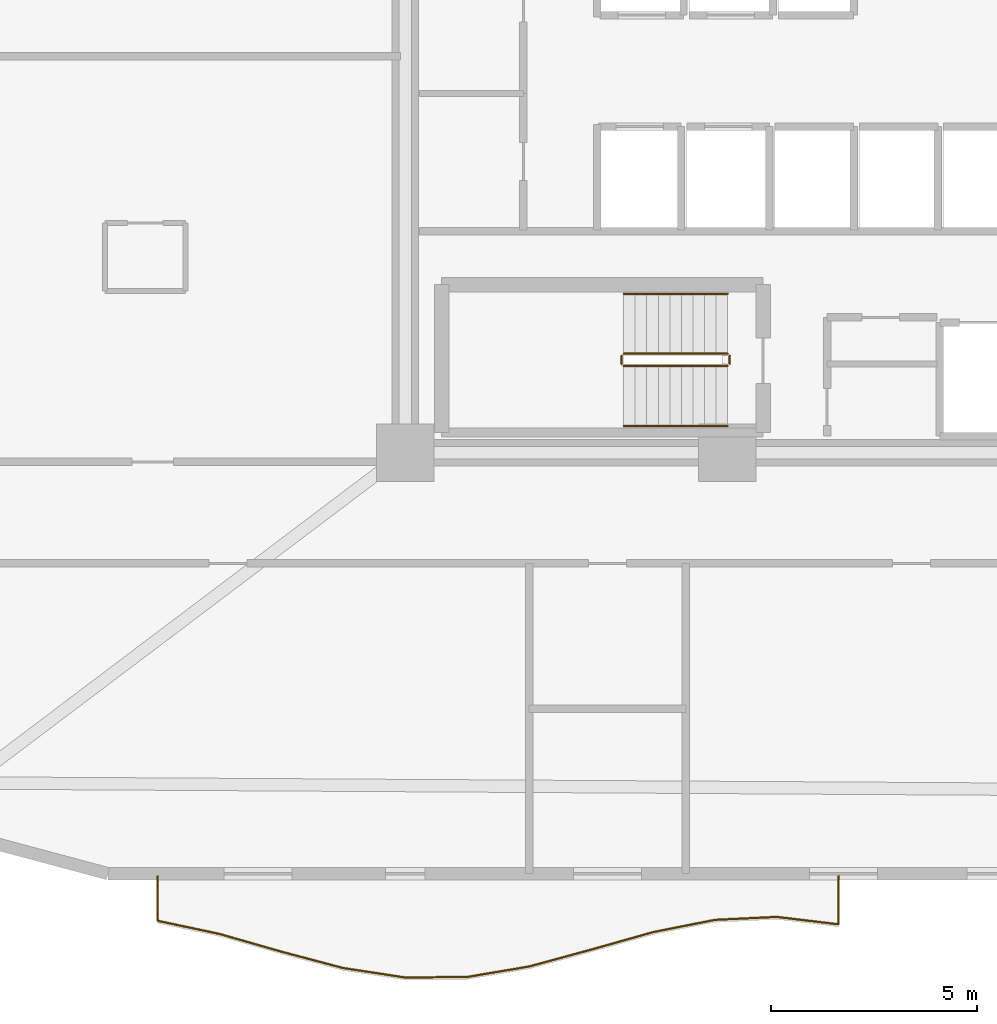
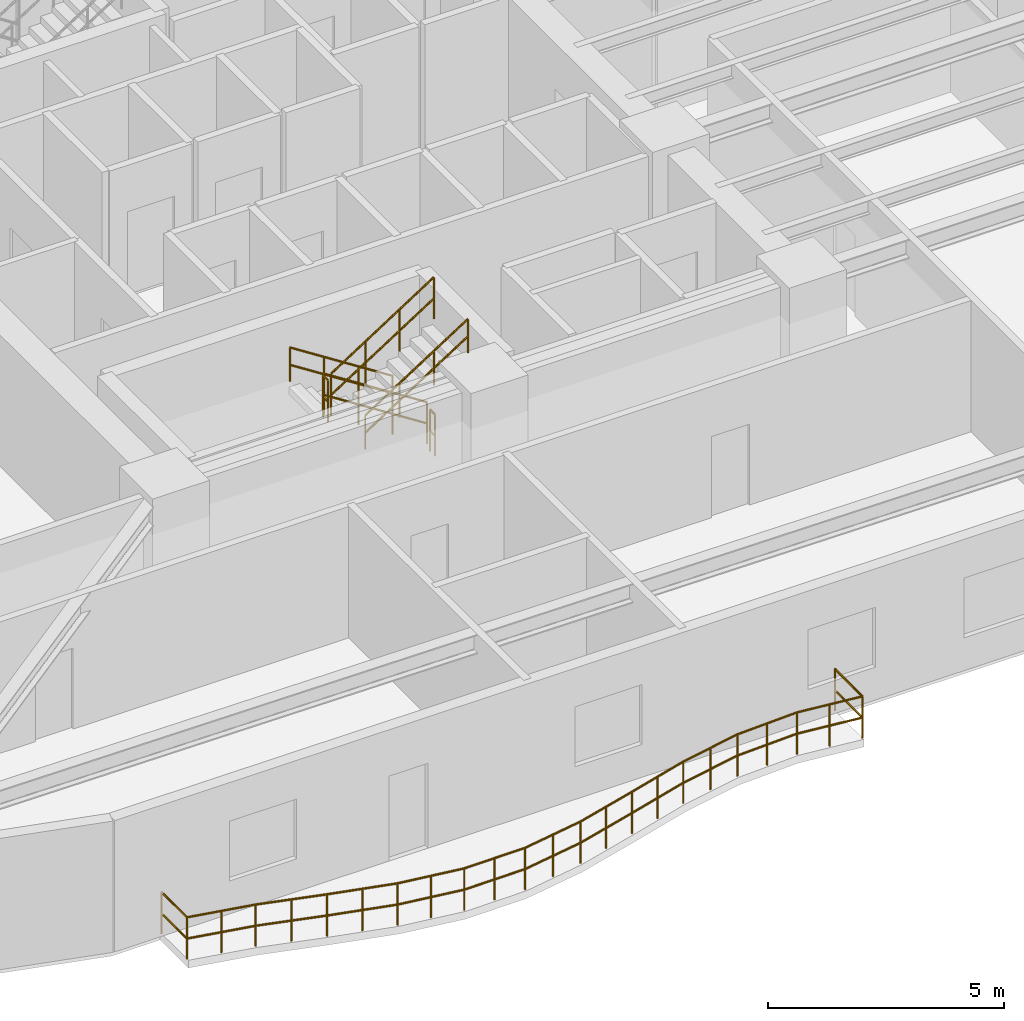
# One storey, part 12 of 14: 7 railings.
"""IFC4 building model written with IfcOpenShell, lengths in metres."""

from ifc_helpers import new_model, si_unit, direction, frame, origin, origin_2d, place, context, subcontext, project, spatial, circle, extrude, material, type_object, element, save


model = new_model("IFC4")

# Units and contexts
model_context = context("Model", 3, precision=1e-05, world=origin(), true_north=direction((0.0, 1.0)))
body_context = subcontext(model_context, "Body", "Model", "MODEL_VIEW")
ifc_project = project(units=[si_unit("LENGTHUNIT", "METRE"), si_unit("AREAUNIT", "SQUARE_METRE"), si_unit("VOLUMEUNIT", "CUBIC_METRE"), si_unit("PLANEANGLEUNIT", "RADIAN"), si_unit("MASSUNIT", "GRAM", prefix="KILO")], contexts=[model_context])

# Site, building, storey
site_placement = place(None, origin())
site = spatial("IfcSite", under=ifc_project, at=site_placement, CompositionType="ELEMENT")
building_placement = place(site_placement, origin())
building = spatial("IfcBuilding", under=site, at=building_placement, Name="An Khanh Terracotta Commons", CompositionType="ELEMENT")
storey_placement = place(building_placement, frame((0.0, 0.0, 115.10009765625)))
storey = spatial("IfcBuildingStorey", under=building, at=storey_placement, Name="L30", CompositionType="ELEMENT", Elevation=115.10009765625)

# Railings
ifc_material_1 = material(Name="Brushed Stainless Steel 316", Category="steel")
railing_type_1 = type_object("IfcRailingType", Name="RAIL-BALUSTRADE-1100", PredefinedType="BALUSTRADE", material=ifc_material_1)
railing_1_placement = place(storey_placement, frame((15.60009765625, 4.139892578125, 0.0)))
element("IfcRailing", 1, at=railing_1_placement, inside=storey, type_object=railing_type_1, Name="L30 S Wave Balcony Guard Balustrade", PredefinedType="BALUSTRADE", context=body_context, shape_type="SweptSolid", body=[
    extrude(circle(Radius=0.02392578125, at=origin_2d()), frame((0.0, 0.0, 1.076171875), z_axis=(0.0, -1.0, 0.0), x_axis=(1.0, 0.0, 0.0)), (0.0, 0.0, 1.0), 1.079833984375),
    extrude(circle(Radius=0.02392578125, at=origin_2d()), frame((0.0, 0.0, 0.52587890625), z_axis=(0.0, -1.0, 0.0), x_axis=(1.0, 0.0, 0.0)), (0.0, 0.0, 1.0), 1.079833984375),
    extrude(circle(Radius=0.02392578125, at=origin_2d()), frame((0.0, -1.079833984375, 1.076171875), z_axis=(0.978242938641, -0.207462654468, 0.0), x_axis=(0.207462654468, 0.978242938641, 0.0)), (0.0, 0.0, 1.0), 1.533447265625),
    extrude(circle(Radius=0.02392578125, at=origin_2d()), frame((0.0, -1.079833984375, 0.52587890625), z_axis=(0.978242938641, -0.207462654468, 0.0), x_axis=(0.207462654468, 0.978242938641, 0.0)), (0.0, 0.0, 1.0), 1.533447265625),
    extrude(circle(Radius=0.02392578125, at=origin_2d()), frame((1.5, -1.39794921875, 1.076171875), z_axis=(0.961293347262, -0.275526950607, 0.0), x_axis=(0.275526950607, 0.961293347262, 0.0)), (0.0, 0.0, 1.0), 1.560302734375),
    extrude(circle(Radius=0.02392578125, at=origin_2d()), frame((1.5, -1.39794921875, 0.52587890625), z_axis=(0.961293347262, -0.275526950607, 0.0), x_axis=(0.275526950607, 0.961293347262, 0.0)), (0.0, 0.0, 1.0), 1.560302734375),
    extrude(circle(Radius=0.02392578125, at=origin_2d()), frame((3.0, -1.827880859375, 1.076171875), z_axis=(0.966718963822, -0.255840663277, 0.0), x_axis=(0.255840663277, 0.966718963822, 0.0)), (0.0, 0.0, 1.0), 1.5517578125),
    extrude(circle(Radius=0.02392578125, at=origin_2d()), frame((3.0, -1.827880859375, 0.52587890625), z_axis=(0.966718963822, -0.255840663277, 0.0), x_axis=(0.255840663277, 0.966718963822, 0.0)), (0.0, 0.0, 1.0), 1.5517578125),
    extrude(circle(Radius=0.02392578125, at=origin_2d()), frame((4.5, -2.224853515625, 1.076171875), z_axis=(0.988545890906, -0.15092058035, 0.0), x_axis=(0.15092058035, 0.988545890906, 0.0)), (0.0, 0.0, 1.0), 1.517333984375),
    extrude(circle(Radius=0.02392578125, at=origin_2d()), frame((4.5, -2.224853515625, 0.52587890625), z_axis=(0.988545890906, -0.15092058035, 0.0), x_axis=(0.15092058035, 0.988545890906, 0.0)), (0.0, 0.0, 1.0), 1.517333984375),
    extrude(circle(Radius=0.02392578125, at=origin_2d()), frame((6.0, -2.453857421875, 1.076171875), z_axis=(0.999956968224, 0.009276944529, 0.0), x_axis=(-0.009276944529, 0.999956968224, 0.0)), (0.0, 0.0, 1.0), 1.5),
    extrude(circle(Radius=0.02392578125, at=origin_2d()), frame((6.0, -2.453857421875, 0.52587890625), z_axis=(0.999956968224, 0.009276944529, 0.0), x_axis=(-0.009276944529, 0.999956968224, 0.0)), (0.0, 0.0, 1.0), 1.5),
    extrude(circle(Radius=0.02392578125, at=origin_2d()), frame((7.5, -2.43994140625, 1.076171875), z_axis=(0.986079829755, 0.16627257546, 0.0), x_axis=(-0.16627257546, 0.986079829755, 0.0)), (0.0, 0.0, 1.0), 1.521240234375),
    extrude(circle(Radius=0.02392578125, at=origin_2d()), frame((7.5, -2.43994140625, 0.52587890625), z_axis=(0.986079829755, 0.16627257546, 0.0), x_axis=(-0.16627257546, 0.986079829755, 0.0)), (0.0, 0.0, 1.0), 1.521240234375),
    extrude(circle(Radius=0.02392578125, at=origin_2d()), frame((9.0, -2.18701171875, 1.076171875), z_axis=(0.964908643051, 0.262585815622, 0.0), x_axis=(-0.262585815622, 0.964908643051, 0.0)), (0.0, 0.0, 1.0), 1.554443359375),
    extrude(circle(Radius=0.02392578125, at=origin_2d()), frame((9.0, -2.18701171875, 0.52587890625), z_axis=(0.964908643051, 0.262585815622, 0.0), x_axis=(-0.262585815622, 0.964908643051, 0.0)), (0.0, 0.0, 1.0), 1.554443359375),
    extrude(circle(Radius=0.02392578125, at=origin_2d()), frame((10.5, -1.77880859375, 1.076171875), z_axis=(0.962323659406, 0.271906554806, 0.0), x_axis=(-0.271906554806, 0.962323659406, 0.0)), (0.0, 0.0, 1.0), 1.558837890625),
    extrude(circle(Radius=0.02392578125, at=origin_2d()), frame((10.5, -1.77880859375, 0.52587890625), z_axis=(0.962323659406, 0.271906554806, 0.0), x_axis=(-0.271906554806, 0.962323659406, 0.0)), (0.0, 0.0, 1.0), 1.558837890625),
    extrude(circle(Radius=0.02392578125, at=origin_2d()), frame((12.0, -1.35498046875, 1.076171875), z_axis=(0.980819402607, 0.194918699639, 0.0), x_axis=(-0.194918699639, 0.980819402607, 0.0)), (0.0, 0.0, 1.0), 1.529296875),
    extrude(circle(Radius=0.02392578125, at=origin_2d()), frame((12.0, -1.35498046875, 0.52587890625), z_axis=(0.980819402607, 0.194918699639, 0.0), x_axis=(-0.194918699639, 0.980819402607, 0.0)), (0.0, 0.0, 1.0), 1.529296875),
    extrude(circle(Radius=0.02392578125, at=origin_2d()), frame((13.5, -1.056884765625, 1.076171875), z_axis=(0.998880243389, 0.047310245903, 0.0), x_axis=(-0.047310245903, 0.998880243389, 0.0)), (0.0, 0.0, 1.0), 1.501708984375),
    extrude(circle(Radius=0.02392578125, at=origin_2d()), frame((13.5, -1.056884765625, 0.52587890625), z_axis=(0.998880243389, 0.047310245903, 0.0), x_axis=(-0.047310245903, 0.998880243389, 0.0)), (0.0, 0.0, 1.0), 1.501708984375),
    extrude(circle(Radius=0.02392578125, at=origin_2d()), frame((15.0, -0.98583984375, 1.076171875), z_axis=(0.99288219023, -0.11910061429, 0.0), x_axis=(0.11910061429, 0.99288219023, 0.0)), (0.0, 0.0, 1.0), 1.5107421875),
    extrude(circle(Radius=0.02392578125, at=origin_2d()), frame((15.0, -0.98583984375, 0.52587890625), z_axis=(0.99288219023, -0.11910061429, 0.0), x_axis=(0.11910061429, 0.99288219023, 0.0)), (0.0, 0.0, 1.0), 1.5107421875),
    extrude(circle(Radius=0.02392578125, at=origin_2d()), frame((16.5, -1.165771484375, 1.076171875), z_axis=(0.0, 1.0, 0.0), x_axis=(-1.0, 0.0, 0.0)), (0.0, 0.0, 1.0), 1.165771484375),
    extrude(circle(Radius=0.02392578125, at=origin_2d()), frame((16.5, -1.165771484375, 0.52587890625), z_axis=(0.0, 1.0, 0.0), x_axis=(-1.0, 0.0, 0.0)), (0.0, 0.0, 1.0), 1.165771484375),
    extrude(circle(Radius=0.02099609375, at=origin_2d()), origin(), (0.0, 0.0, 1.0), 1.052001953125),
    extrude(circle(Radius=0.02099609375, at=origin_2d()), frame((0.0, -1.079833984375, 0.0)), (0.0, 0.0, 1.0), 1.052001953125),
    extrude(circle(Radius=0.02099609375, at=origin_2d()), frame((0.75, -1.23876953125, 0.0)), (0.0, 0.0, 1.0), 1.052001953125),
    extrude(circle(Radius=0.02099609375, at=origin_2d()), frame((1.5, -1.39794921875, 0.0)), (0.0, 0.0, 1.0), 1.052001953125),
    extrude(circle(Radius=0.02099609375, at=origin_2d()), frame((2.25, -1.61279296875, 0.0)), (0.0, 0.0, 1.0), 1.052001953125),
    extrude(circle(Radius=0.02099609375, at=origin_2d()), frame((3.0, -1.827880859375, 0.0)), (0.0, 0.0, 1.0), 1.052001953125),
    extrude(circle(Radius=0.02099609375, at=origin_2d()), frame((3.75, -2.0263671875, 0.0)), (0.0, 0.0, 1.0), 1.052001953125),
    extrude(circle(Radius=0.02099609375, at=origin_2d()), frame((4.5, -2.224853515625, 0.0)), (0.0, 0.0, 1.0), 1.052001953125),
    extrude(circle(Radius=0.02099609375, at=origin_2d()), frame((5.25, -2.33935546875, 0.0)), (0.0, 0.0, 1.0), 1.052001953125),
    extrude(circle(Radius=0.02099609375, at=origin_2d()), frame((6.0, -2.453857421875, 0.0)), (0.0, 0.0, 1.0), 1.052001953125),
    extrude(circle(Radius=0.02099609375, at=origin_2d()), frame((6.75, -2.44677734375, 0.0)), (0.0, 0.0, 1.0), 1.052001953125),
    extrude(circle(Radius=0.02099609375, at=origin_2d()), frame((7.5, -2.43994140625, 0.0)), (0.0, 0.0, 1.0), 1.052001953125),
    extrude(circle(Radius=0.02099609375, at=origin_2d()), frame((8.25, -2.3134765625, 0.0)), (0.0, 0.0, 1.0), 1.052001953125),
    extrude(circle(Radius=0.02099609375, at=origin_2d()), frame((9.0, -2.18701171875, 0.0)), (0.0, 0.0, 1.0), 1.052001953125),
    extrude(circle(Radius=0.02099609375, at=origin_2d()), frame((9.75, -1.98291015625, 0.0)), (0.0, 0.0, 1.0), 1.052001953125),
    extrude(circle(Radius=0.02099609375, at=origin_2d()), frame((10.5, -1.77880859375, 0.0)), (0.0, 0.0, 1.0), 1.052001953125),
    extrude(circle(Radius=0.02099609375, at=origin_2d()), frame((11.25, -1.56689453125, 0.0)), (0.0, 0.0, 1.0), 1.052001953125),
    extrude(circle(Radius=0.02099609375, at=origin_2d()), frame((12.0, -1.35498046875, 0.0)), (0.0, 0.0, 1.0), 1.052001953125),
    extrude(circle(Radius=0.02099609375, at=origin_2d()), frame((12.75, -1.2060546875, 0.0)), (0.0, 0.0, 1.0), 1.052001953125),
    extrude(circle(Radius=0.02099609375, at=origin_2d()), frame((13.5, -1.056884765625, 0.0)), (0.0, 0.0, 1.0), 1.052001953125),
    extrude(circle(Radius=0.02099609375, at=origin_2d()), frame((14.25, -1.021484375, 0.0)), (0.0, 0.0, 1.0), 1.052001953125),
    extrude(circle(Radius=0.02099609375, at=origin_2d()), frame((15.0, -0.98583984375, 0.0)), (0.0, 0.0, 1.0), 1.052001953125),
    extrude(circle(Radius=0.02099609375, at=origin_2d()), frame((15.75, -1.07568359375, 0.0)), (0.0, 0.0, 1.0), 1.052001953125),
    extrude(circle(Radius=0.02099609375, at=origin_2d()), frame((16.5, -1.165771484375, 0.0)), (0.0, 0.0, 1.0), 1.052001953125),
    extrude(circle(Radius=0.02099609375, at=origin_2d()), frame((16.5, 0.0, 0.0)), (0.0, 0.0, 1.0), 1.052001953125),
])
railing_type_2 = type_object("IfcRailingType", Name="RAIL-HANDRAIL-900", PredefinedType="HANDRAIL", material=ifc_material_1)
railing_2_placement = place(storey_placement, frame((29.409912109375, 18.25, 0.179931640625)))
element("IfcRailing", 2, at=railing_2_placement, inside=storey, type_object=railing_type_2, Name="L30 ST-02 stair handrail 1", PredefinedType="HANDRAIL", context=body_context, shape_type="SweptSolid", body=[
    extrude(circle(Radius=0.02392578125, at=origin_2d()), frame((0.0, 0.0, 0.8759765625), z_axis=(-0.841199657755, 0.0, 0.540724639528), x_axis=(0.0, -1.0, 0.0)), (0.0, 0.0, 1.0), 2.995849609375),
    extrude(circle(Radius=0.02392578125, at=origin_2d()), frame((0.0, 0.0, 0.42578125), z_axis=(-0.841199657755, 0.0, 0.540724639528), x_axis=(0.0, -1.0, 0.0)), (0.0, 0.0, 1.0), 2.995849609375),
    extrude(circle(Radius=0.02099609375, at=origin_2d()), origin(), (0.0, 0.0, 1.0), 0.851806640625),
    extrude(circle(Radius=0.02099609375, at=origin_2d()), frame((-0.840087890625, 0.0, 0.5400390625)), (0.0, 0.0, 1.0), 0.851806640625),
    extrude(circle(Radius=0.02099609375, at=origin_2d()), frame((-1.679931640625, 0.0, 1.079833984375)), (0.0, 0.0, 1.0), 0.851806640625),
    extrude(circle(Radius=0.02099609375, at=origin_2d()), frame((-2.52001953125, 0.0, 1.619873046875)), (0.0, 0.0, 1.0), 0.851806640625),
])
railing_3_placement = place(storey_placement, frame((26.889892578125, 15.050048828125, 1.97998046875)))
element("IfcRailing", 3, at=railing_3_placement, inside=storey, type_object=railing_type_2, Name="L30 ST-02 stair handrail 2", PredefinedType="HANDRAIL", context=body_context, shape_type="SweptSolid", body=[
    extrude(circle(Radius=0.02392578125, at=origin_2d()), frame((0.0, 0.0, 0.8759765625), z_axis=(0.841199657755, 0.0, 0.540724639528), x_axis=(0.0, 1.0, 0.0)), (0.0, 0.0, 1.0), 2.995849609375),
    extrude(circle(Radius=0.02392578125, at=origin_2d()), frame((0.0, 0.0, 0.42578125), z_axis=(0.841199657755, 0.0, 0.540724639528), x_axis=(0.0, 1.0, 0.0)), (0.0, 0.0, 1.0), 2.995849609375),
    extrude(circle(Radius=0.02099609375, at=origin_2d()), origin(), (0.0, 0.0, 1.0), 0.851806640625),
    extrude(circle(Radius=0.02099609375, at=origin_2d()), frame((0.840087890625, 0.0, 0.5400390625)), (0.0, 0.0, 1.0), 0.851806640625),
    extrude(circle(Radius=0.02099609375, at=origin_2d()), frame((1.679931640625, 0.0, 1.079833984375)), (0.0, 0.0, 1.0), 0.851806640625),
    extrude(circle(Radius=0.02099609375, at=origin_2d()), frame((2.52001953125, 0.0, 1.619873046875)), (0.0, 0.0, 1.0), 0.851806640625),
])
ifc_material_2 = material(Name="Powder-Coated Steel S355J2", Category="steel")
railing_type_3 = type_object("IfcRailingType", Name="RAIL-STAIR-GUARD-1100", PredefinedType="BALUSTRADE", material=ifc_material_2)
railing_4_placement = place(storey_placement, frame((29.409912109375, 16.800048828125, 0.179931640625)))
element("IfcRailing", 4, at=railing_4_placement, inside=storey, type_object=railing_type_3, Name="L30 ST-02 stair guard 1", PredefinedType="BALUSTRADE", context=body_context, shape_type="SweptSolid", body=[
    extrude(circle(Radius=0.02392578125, at=origin_2d()), frame((0.0, 0.0, 1.076171875), z_axis=(-0.841199657755, 0.0, 0.540724639528), x_axis=(0.0, -1.0, 0.0)), (0.0, 0.0, 1.0), 2.995849609375),
    extrude(circle(Radius=0.02392578125, at=origin_2d()), frame((0.0, 0.0, 0.52587890625), z_axis=(-0.841199657755, 0.0, 0.540724639528), x_axis=(0.0, -1.0, 0.0)), (0.0, 0.0, 1.0), 2.995849609375),
    extrude(circle(Radius=0.02099609375, at=origin_2d()), origin(), (0.0, 0.0, 1.0), 1.052001953125),
    extrude(circle(Radius=0.02099609375, at=origin_2d()), frame((-0.840087890625, 0.0, 0.5400390625)), (0.0, 0.0, 1.0), 1.052001953125),
    extrude(circle(Radius=0.02099609375, at=origin_2d()), frame((-1.679931640625, 0.0, 1.079833984375)), (0.0, 0.0, 1.0), 1.052001953125),
    extrude(circle(Radius=0.02099609375, at=origin_2d()), frame((-2.52001953125, 0.0, 1.619873046875)), (0.0, 0.0, 1.0), 1.052001953125),
])
railing_5_placement = place(storey_placement, frame((26.840087890625, 16.75, 1.7998046875)))
element("IfcRailing", 5, at=railing_5_placement, inside=storey, type_object=railing_type_3, Name="L30 ST-02 stair guard 2", PredefinedType="BALUSTRADE", context=body_context, shape_type="SweptSolid", body=[
    extrude(circle(Radius=0.02392578125, at=origin_2d()), frame((0.0, 0.0, 1.076171875), z_axis=(0.0, -1.0, 0.0), x_axis=(1.0, 0.0, 0.0)), (0.0, 0.0, 1.0), 0.199951171875),
    extrude(circle(Radius=0.02392578125, at=origin_2d()), frame((0.0, 0.0, 0.52587890625), z_axis=(0.0, -1.0, 0.0), x_axis=(1.0, 0.0, 0.0)), (0.0, 0.0, 1.0), 0.199951171875),
    extrude(circle(Radius=0.02099609375, at=origin_2d()), origin(), (0.0, 0.0, 1.0), 1.052001953125),
    extrude(circle(Radius=0.02099609375, at=origin_2d()), frame((0.0, -0.199951171875, 0.0)), (0.0, 0.0, 1.0), 1.052001953125),
])
railing_6_placement = place(storey_placement, frame((26.889892578125, 16.5, 1.97998046875)))
element("IfcRailing", 6, at=railing_6_placement, inside=storey, type_object=railing_type_3, Name="L30 ST-02 stair guard 3", PredefinedType="BALUSTRADE", context=body_context, shape_type="SweptSolid", body=[
    extrude(circle(Radius=0.02392578125, at=origin_2d()), frame((0.0, 0.0, 1.076171875), z_axis=(0.841199657755, 0.0, 0.540724639528), x_axis=(0.0, 1.0, 0.0)), (0.0, 0.0, 1.0), 2.995849609375),
    extrude(circle(Radius=0.02392578125, at=origin_2d()), frame((0.0, 0.0, 0.52587890625), z_axis=(0.841199657755, 0.0, 0.540724639528), x_axis=(0.0, 1.0, 0.0)), (0.0, 0.0, 1.0), 2.995849609375),
    extrude(circle(Radius=0.02099609375, at=origin_2d()), origin(), (0.0, 0.0, 1.0), 1.052001953125),
    extrude(circle(Radius=0.02099609375, at=origin_2d()), frame((0.840087890625, 0.0, 0.5400390625)), (0.0, 0.0, 1.0), 1.052001953125),
    extrude(circle(Radius=0.02099609375, at=origin_2d()), frame((1.679931640625, 0.0, 1.079833984375)), (0.0, 0.0, 1.0), 1.052001953125),
    extrude(circle(Radius=0.02099609375, at=origin_2d()), frame((2.52001953125, 0.0, 1.619873046875)), (0.0, 0.0, 1.0), 1.052001953125),
])
railing_7_placement = place(storey_placement, frame((29.4599609375, 16.75, 0.0)))
element("IfcRailing", 7, at=railing_7_placement, inside=storey, type_object=railing_type_3, Name="L30 ST-02 stair guard 4", PredefinedType="BALUSTRADE", context=body_context, shape_type="SweptSolid", body=[
    extrude(circle(Radius=0.02392578125, at=origin_2d()), frame((0.0, 0.0, 1.076171875), z_axis=(0.0, -1.0, 0.0), x_axis=(1.0, 0.0, 0.0)), (0.0, 0.0, 1.0), 0.199951171875),
    extrude(circle(Radius=0.02392578125, at=origin_2d()), frame((0.0, 0.0, 0.52587890625), z_axis=(0.0, -1.0, 0.0), x_axis=(1.0, 0.0, 0.0)), (0.0, 0.0, 1.0), 0.199951171875),
    extrude(circle(Radius=0.02099609375, at=origin_2d()), origin(), (0.0, 0.0, 1.0), 1.052001953125),
    extrude(circle(Radius=0.02099609375, at=origin_2d()), frame((0.0, -0.199951171875, 0.0)), (0.0, 0.0, 1.0), 1.052001953125),
])

save(model, "model.ifc")
